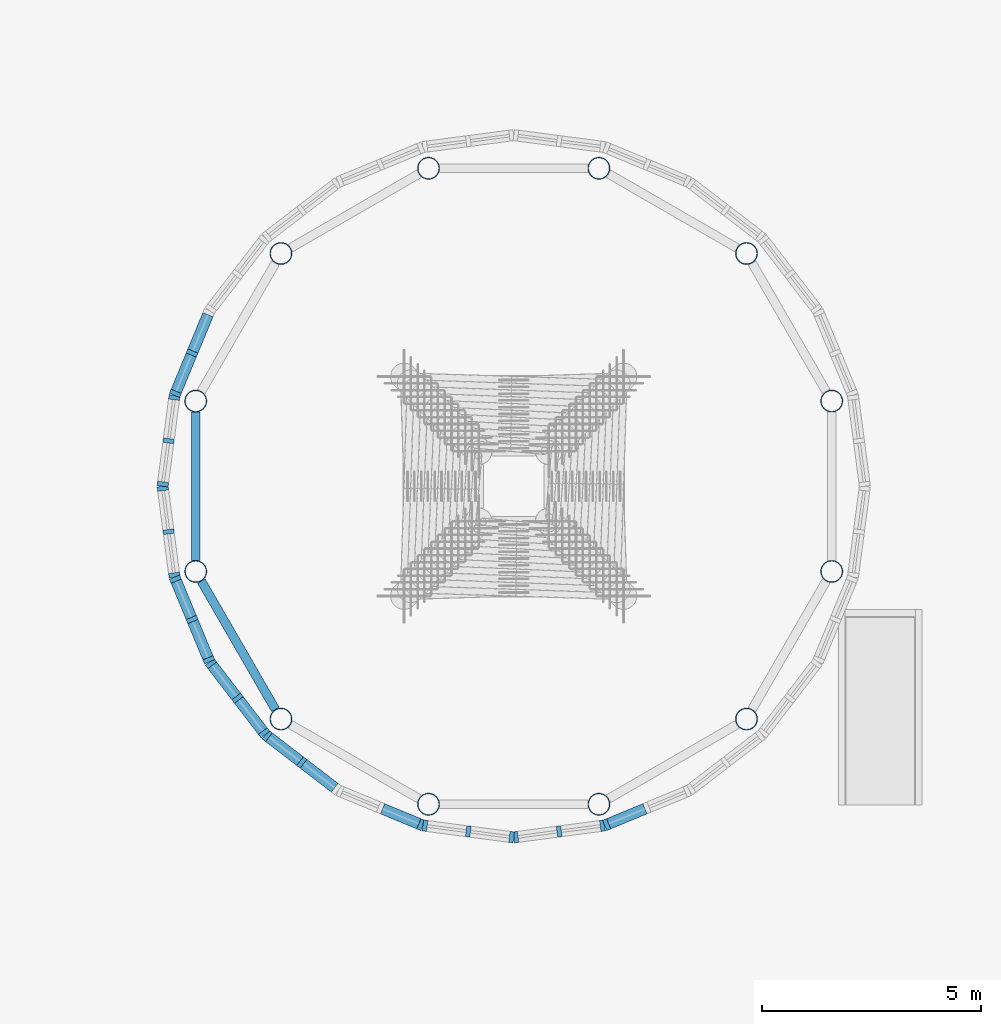
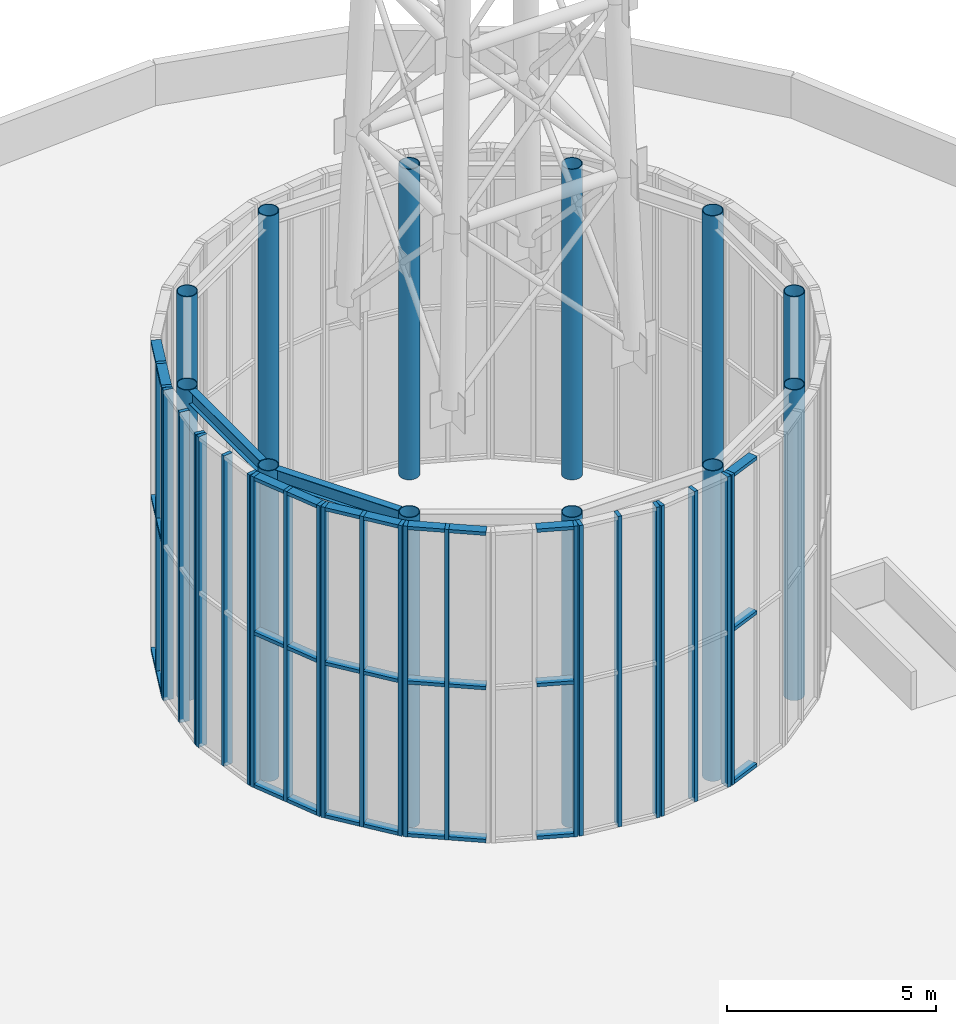
# One storey, part 1 of 11: 54 members, 12 columns, 2 beams, 10 elements without a shape of their own.
"""IFC4 building model written with IfcOpenShell, lengths in metres."""

import ifcopenshell
import ifcopenshell.guid

model = None  # the IFC model being written
_history = None  # IfcOwnerHistory: only IFC2X3 demands one
_inside = {}  # id of a spatial element -> (the spatial element, [elements in it])
_under = {}  # id of a project, library or spatial element -> (it, [spatial elements below it])
_declared = {}  # id of a project -> (the project, [libraries it declares])
_typed = {}  # id of a type object -> (the type object, [elements of that type])
_made_of = {}  # id of a material, layer set ... -> (it, [elements and type objects made of it])


def new_model(schema):
    """Start an empty IFC model of exactly this schema.

    Asked for "IFC4X3", IfcOpenShell would pick the latest addendum, in which some entities
    have other attributes; the version numbers below select the first issue.
    IFC2X3 requires an IfcOwnerHistory on every rooted entity: one is made here for all.
    """
    global model, _history
    if schema == "IFC4X3":
        model = ifcopenshell.file(schema_version=(4, 3, 0, 0))
    else:
        model = ifcopenshell.file(schema=schema)
    _inside.clear()
    _under.clear()
    _declared.clear()
    _typed.clear()
    _made_of.clear()
    _history = None
    if model.schema == "IFC2X3":
        org = make("IfcOrganization", Name="unknown")
        user = make(
            "IfcPersonAndOrganization",
            ThePerson=make("IfcPerson", FamilyName="unknown"),
            TheOrganization=org,
        )
        app = make(
            "IfcApplication",
            ApplicationDeveloper=org,
            Version="unknown",
            ApplicationFullName="unknown",
            ApplicationIdentifier="unknown",
        )
        _history = make(
            "IfcOwnerHistory",
            OwningUser=user,
            OwningApplication=app,
            ChangeAction="ADDED",
            CreationDate=0,
        )
    return model


def make(cls, **values):
    """One entity of the class cls with the attributes given. An attribute that is None is left unset."""
    return model.create_entity(
        cls, **{name: value for name, value in values.items() if value is not None}
    )


def rooted(cls, **values):
    """An entity with a GlobalId (a new one), such as an element, a storey or a relation."""
    return make(cls, GlobalId=ifcopenshell.guid.new(), OwnerHistory=_history, **values)


def si_unit(unit_type, name, prefix=None):
    """IfcSIUnit, for example si_unit("LENGTHUNIT", "METRE", prefix="MILLI")."""
    return make("IfcSIUnit", UnitType=unit_type, Prefix=prefix, Name=name)


def assignment(units):
    """IfcUnitAssignment: the units of a project."""
    return None if units is None else make("IfcUnitAssignment", Units=units)


def point(xyz):
    """IfcCartesianPoint."""
    return None if xyz is None else make("IfcCartesianPoint", Coordinates=xyz)


def direction(xyz):
    """IfcDirection."""
    return None if xyz is None else make("IfcDirection", DirectionRatios=xyz)


def frame(location, z_axis=None, x_axis=None):
    """IfcAxis2Placement3D, a coordinate frame: its origin and axes. An axis left out is left unset."""
    return make(
        "IfcAxis2Placement3D",
        Location=point(location),
        Axis=direction(z_axis),
        RefDirection=direction(x_axis),
    )


def frame_2d(location, x_axis=None):
    """IfcAxis2Placement2D, a coordinate frame in the plane: its origin and x axis."""
    return make(
        "IfcAxis2Placement2D", Location=point(location), RefDirection=direction(x_axis)
    )


def origin():
    """The frame at (0, 0, 0) with its axes left unset."""
    return frame((0.0, 0.0, 0.0))


def origin_2d():
    """The frame at (0, 0) in the plane with its x axis left unset."""
    return frame_2d((0.0, 0.0))


def place(relative_to, where):
    """IfcLocalPlacement: puts the frame where relative to a parent placement (None: the world)."""
    return make(
        "IfcLocalPlacement", PlacementRelTo=relative_to, RelativePlacement=where
    )


def context(
    kind, dimensions, precision=None, world=None, true_north=None, identifier=None
):
    """IfcGeometricRepresentationContext, for example the 3D "Model" context."""
    return make(
        "IfcGeometricRepresentationContext",
        ContextIdentifier=identifier,
        ContextType=kind,
        CoordinateSpaceDimension=dimensions,
        Precision=precision,
        WorldCoordinateSystem=world,
        TrueNorth=true_north,
    )


def subcontext(parent, identifier, kind, view, scale=None):
    """IfcGeometricRepresentationSubContext, for example "Body" below "Model"."""
    return make(
        "IfcGeometricRepresentationSubContext",
        ContextIdentifier=identifier,
        ContextType=kind,
        ParentContext=parent,
        TargetScale=scale,
        TargetView=view,
    )


def project(units=None, contexts=None):
    """IfcProject with its units and contexts."""
    return rooted(
        "IfcProject",
        Name="project",
        RepresentationContexts=contexts,
        UnitsInContext=assignment(units),
    )


def spatial(cls, under=None, at=None, **own):
    """A site, building, storey or space (cls), placed at a placement, below another one or the project."""
    s = rooted(cls, ObjectPlacement=at, **own)
    if under is not None:
        _under.setdefault(under.id(), (under, []))[1].append(s)
    return s


def profile(cls, at=None, kind="AREA", **sizes):
    """A parametric profile (cls). Its sizes go by their IFC names, for example OverallWidth=200.0."""
    return make(cls, ProfileType=kind, Position=at, **sizes)


def rectangle(**sizes):
    """IfcRectangleProfileDef."""
    return profile("IfcRectangleProfileDef", **sizes)


def hollow_circle(**sizes):
    """IfcCircleHollowProfileDef."""
    return profile("IfcCircleHollowProfileDef", **sizes)


def i_section(**sizes):
    """IfcIShapeProfileDef."""
    return profile("IfcIShapeProfileDef", **sizes)


def extrude(swept, where, along, depth):
    """IfcExtrudedAreaSolid: the profile swept, set in the frame where, extruded along a direction by depth."""
    return make(
        "IfcExtrudedAreaSolid",
        SweptArea=swept,
        Position=where,
        ExtrudedDirection=direction(along),
        Depth=depth,
    )


def shape(context_of_items, identifier, shape_type, items):
    """IfcShapeRepresentation: the items that make up one representation, for example the "Body"."""
    return make(
        "IfcShapeRepresentation",
        ContextOfItems=context_of_items,
        RepresentationIdentifier=identifier,
        RepresentationType=shape_type,
        Items=items,
    )


def material(Name=None, Category=None):
    """IfcMaterial."""
    return make("IfcMaterial", Name=Name, Category=Category)


def material_profile(
    of_material, cross_section, Name=None, Category=None, Priority=None
):
    """IfcMaterialProfile: a cross section and its material."""
    return make(
        "IfcMaterialProfile",
        Name=Name,
        Material=of_material,
        Profile=cross_section,
        Priority=Priority,
        Category=Category,
    )


def profile_set(profiles, Name=None, composite=None):
    """IfcMaterialProfileSet."""
    return make(
        "IfcMaterialProfileSet",
        Name=Name,
        MaterialProfiles=profiles,
        CompositeProfile=composite,
    )


def made_of(thing, what):
    """Note that an element or type object is made of a material, layer set ...; save() writes the relation."""
    if what is not None:
        _made_of.setdefault(what.id(), (what, []))[1].append(thing)
    return thing


def type_object(cls, material=None, **own):
    """A type object (cls), such as IfcWallType, which elements share."""
    return made_of(rooted(cls, **own), material)


def element(
    cls,
    number,
    at=None,
    inside=None,
    cuts=None,
    type_object=None,
    material=None,
    context=None,
    identifier="Body",
    shape_type=None,
    held_by="IfcProductDefinitionShape",
    body=None,
    shapes=None,
    **own,
):
    """One element of the class cls, such as IfcWall. Its Tag is "e" and its number.

    at: its placement. inside: the storey or other place that contains it. cuts: it is an
    opening in that element (IfcRelVoidsElement). A single representation is given by context,
    identifier, shape_type and body (its items); several are given by shapes. held_by: the class
    of the entity that holds the representations. save() writes the other relations.
    """
    e = rooted(cls, Tag="e%d" % number, ObjectPlacement=at, **own)
    if body is not None:
        shapes = [shape(context, identifier, shape_type, body)]
    if shapes is not None:
        e.Representation = make(held_by, Representations=shapes)
    if inside is not None:
        _inside.setdefault(inside.id(), (inside, []))[1].append(e)
    if cuts is not None:
        rooted(
            "IfcRelVoidsElement", RelatingBuildingElement=cuts, RelatedOpeningElement=e
        )
    if type_object is not None:
        _typed.setdefault(type_object.id(), (type_object, []))[1].append(e)
    return made_of(e, material)


def aggregate(whole, parts):
    """IfcRelAggregates: a whole, such as a stair, and the parts it consists of."""
    return rooted("IfcRelAggregates", RelatingObject=whole, RelatedObjects=parts)


def save(model, path):
    """Write the relations noted so far, then the file.

    IfcRelAggregates (storeys below a building ...), IfcRelContainedInSpatialStructure (elements
    in a storey), IfcRelDefinesByType, IfcRelAssociatesMaterial and IfcRelDeclares: one each for
    every whole, place, type object, material and project.
    """
    for whole, parts in _under.values():
        aggregate(whole, parts)
    for where, things in _inside.values():
        rooted(
            "IfcRelContainedInSpatialStructure",
            RelatedElements=things,
            RelatingStructure=where,
        )
    for kind, things in _typed.values():
        rooted("IfcRelDefinesByType", RelatedObjects=things, RelatingType=kind)
    for what, things in _made_of.values():
        rooted("IfcRelAssociatesMaterial", RelatedObjects=things, RelatingMaterial=what)
    for by, libraries in _declared.values():
        rooted("IfcRelDeclares", RelatingContext=by, RelatedDefinitions=libraries)
    model.write(path)


model = new_model("IFC4")

# Units and contexts
model_context = context("Model", 3, precision=1e-05, world=origin(), true_north=direction((0.0, 1.0)))
body_context = subcontext(model_context, "Body", "Model", "MODEL_VIEW")
ifc_project = project(units=[si_unit("LENGTHUNIT", "METRE"), si_unit("AREAUNIT", "SQUARE_METRE"), si_unit("VOLUMEUNIT", "CUBIC_METRE"), si_unit("PLANEANGLEUNIT", "RADIAN"), si_unit("MASSUNIT", "GRAM", prefix="KILO")], contexts=[model_context])

# Site, building, storey
site_placement = place(None, origin())
site = spatial("IfcSite", under=ifc_project, at=site_placement, CompositionType="ELEMENT")
building_placement = place(site_placement, origin())
building = spatial("IfcBuilding", under=site, at=building_placement, Name="Vermilion Reach Broadcast Tower", CompositionType="ELEMENT")
storey_placement = place(building_placement, frame((0.0, 0.0, 329.699951171875)))
storey = spatial("IfcBuildingStorey", under=building, at=storey_placement, Name="RF", CompositionType="ELEMENT", Elevation=329.699951171875)

# Columns
ifc_material_1 = material(Name="Steel S355J2H", Category="steel")
ifc_material_profile_1 = material_profile(ifc_material_1, hollow_circle(Radius=0.25390625, WallThickness=0.02001953125, at=origin_2d()), Name="S355J2H CHS 508x20")
ifc_profile_set_1 = profile_set([ifc_material_profile_1], Name="Steel S355J2H")
column_type = type_object("IfcColumnType", Name="DP CHS 508x20", PredefinedType="COLUMN", material=ifc_profile_set_1)
for number, where, z_axis, x_axis, name in (
    (1, (1.244384765625, 1.941162109375, 0.0), (0.0, 0.0, 1.0), (1.0, 0.0, 0.0), "Plant drum post DP01"),
    (2, (-0.69677734375, 5.30322265625, 0.0), (0.0, 0.0, 1.0), (1.0, 0.0, 0.0), "Plant drum post DP02"),
    (3, (-4.058837890625, 7.244384765625, 0.0), (0.0, 0.0, 1.0), (1.0, 0.0, 0.0), "Plant drum post DP03"),
    (4, (-7.941162109375, 7.244384765625, 0.0), (0.0, 0.0, 1.0), (1.0, 0.0, 0.0), "Plant drum post DP04"),
    (5, (-11.30322265625, 5.30322265625, 0.0), (0.0, 0.0, 1.0), (1.0, 0.0, 0.0), "Plant drum post DP05"),
    (6, (-13.244384765625, 1.941162109375, 0.0), (0.0, 0.0, 1.0), (1.0, 0.0, 0.0), "Plant drum post DP06"),
    (7, (-13.244384765625, -1.941162109375, 0.0), (0.0, 0.0, 1.0), (1.0, 0.0, 0.0), "Plant drum post DP07"),
    (8, (-11.30322265625, -5.30322265625, 0.0), (0.0, 0.0, 1.0), (1.0, 0.0, 0.0), "Plant drum post DP08"),
    (9, (-7.941162109375, -7.244384765625, 0.0), (0.0, 0.0, 1.0), (1.0, 0.0, 0.0), "Plant drum post DP09"),
    (10, (-4.058837890625, -7.244384765625, 0.0), (0.0, 0.0, 1.0), (1.0, 0.0, 0.0), "Plant drum post DP10"),
    (11, (-0.69677734375, -5.30322265625, 0.0), (0.0, 0.0, 1.0), (1.0, 0.0, 0.0), "Plant drum post DP11"),
    (12, (1.244384765625, -1.941162109375, 0.0), (0.0, 0.0, 1.0), (1.0, 0.0, 0.0), "Plant drum post DP12"),
):
    element("IfcColumn", number, at=place(storey_placement, frame(where, z_axis=z_axis, x_axis=x_axis)), inside=storey, type_object=column_type, Name=name, PredefinedType="COLUMN", context=body_context, shape_type="SweptSolid", body=[
        extrude(hollow_circle(Radius=0.25390625, WallThickness=0.02001953125, at=origin_2d()), origin(), (0.0, 0.0, 1.0), 9.050048828125),
    ])

# Beams
ifc_material_2 = material(Name="Steel S355J2", Category="steel")
ifc_material_profile_2 = material_profile(ifc_material_2, i_section(OverallWidth=0.199951171875, OverallDepth=0.39990234375, WebThickness=0.008056640625, FlangeThickness=0.012939453125, at=origin_2d()), Name="S355J2 HN 400x200x8x13")
ifc_profile_set_2 = profile_set([ifc_material_profile_2], Name="Steel S355J2")
beam_type = type_object("IfcBeamType", Name="DB1 HN 400x200x8x13", PredefinedType="BEAM", material=ifc_profile_set_2)
beam_1_placement = place(storey_placement, frame((-13.244384765625, 1.687255859375, 8.85009765625), z_axis=(0.0, -1.0, 0.0), x_axis=(1.0, 0.0, 0.0)))
element("IfcBeam", 13, at=beam_1_placement, inside=storey, type_object=beam_type, Name="Plant drum ring beam DB1-06", PredefinedType="BEAM", context=body_context, shape_type="SweptSolid", body=[
    extrude(i_section(OverallWidth=0.199951171875, OverallDepth=0.39990234375, WebThickness=0.008056640625, FlangeThickness=0.012939453125, at=origin_2d()), origin(), (0.0, 0.0, 1.0), 3.37451171875),
])
beam_2_placement = place(storey_placement, frame((-13.117431640625, -2.1611328125, 8.85009765625), z_axis=(0.499983428175, -0.866034971321, 0.0), x_axis=(0.866034971321, 0.499983428175, 0.0)))
element("IfcBeam", 14, at=beam_2_placement, inside=storey, type_object=beam_type, Name="Plant drum ring beam DB1-07", PredefinedType="BEAM", context=body_context, shape_type="SweptSolid", body=[
    extrude(i_section(OverallWidth=0.199951171875, OverallDepth=0.39990234375, WebThickness=0.008056640625, FlangeThickness=0.012939453125, at=origin_2d()), origin(), (0.0, 0.0, 1.0), 3.3740234375),
])

# Curtain wall, members
ifc_material_3 = material(Name="Low-e laminated clear glass in aluminium frame", Category="aluminium")
curtain_wall_type = type_object("IfcCurtainWallType", Name="Drum louvre curtain wall", PredefinedType="NOTDEFINED", material=ifc_material_3)
placement = place(storey_placement, origin())
curtain_wall_1 = element("IfcCurtainWall", 15, at=placement, inside=storey, type_object=curtain_wall_type, Name="Drum louvre wall RF 11", PredefinedType="NOTDEFINED")
ifc_material_4 = material(Name="Anodised aluminium", Category="aluminium")
ifc_material_profile_3 = material_profile(ifc_material_4, rectangle(XDim=0.25, YDim=0.10009765625, at=origin_2d()), Name="Drum louvre mullion 100 x 250")
ifc_profile_set_3 = profile_set([ifc_material_profile_3], Name="Anodised aluminium")
member_type_1 = type_object("IfcMemberType", Name="Drum louvre mullion 100 x 250", PredefinedType="MULLION", material=ifc_profile_set_3)
member_1_placement = place(storey_placement, frame((-13.327880859375, 3.03515625, 0.0), z_axis=(0.0, 0.0, 1.0), x_axis=(0.923879532511, -0.382683432365, 0.0)))
member_1 = element("IfcMember", 16, at=member_1_placement, type_object=member_type_1, Name="Drum louvre wall mullion RF 11.2", PredefinedType="MULLION", context=body_context, shape_type="SweptSolid", body=[
    extrude(rectangle(XDim=0.25, YDim=0.10009765625, at=origin_2d()), origin(), (0.0, 0.0, 1.0), 9.050048828125),
])
member_2_placement = place(storey_placement, frame((-13.708251953125, 2.11669921875, 0.0), z_axis=(0.0, 0.0, 1.0), x_axis=(0.923879532511, -0.382683432365, 0.0)))
member_2 = element("IfcMember", 17, at=member_2_placement, type_object=member_type_1, Name="Drum louvre wall mullion RF 11.3", PredefinedType="MULLION", context=body_context, shape_type="SweptSolid", body=[
    extrude(rectangle(XDim=0.25, YDim=0.10009765625, at=origin_2d()), origin(), (0.0, 0.0, 1.0), 9.050048828125),
])

curtain_wall_2 = element("IfcCurtainWall", 18, at=placement, inside=storey, type_object=curtain_wall_type, Name="Drum louvre wall RF 12", PredefinedType="NOTDEFINED")
member_3_placement = place(storey_placement, frame((-13.73388671875, 2.02099609375, 0.0), z_axis=(0.0, 0.0, 1.0), x_axis=(0.991444861374, -0.13052619222, 0.0)))
member_3 = element("IfcMember", 19, at=member_3_placement, type_object=member_type_1, Name="Drum louvre wall mullion RF 12.1", PredefinedType="MULLION", context=body_context, shape_type="SweptSolid", body=[
    extrude(rectangle(XDim=0.25, YDim=0.10009765625, at=origin_2d()), origin(), (0.0, 0.0, 1.0), 9.050048828125),
])
member_4_placement = place(storey_placement, frame((-13.86376953125, 1.03515625, 0.0), z_axis=(0.0, 0.0, 1.0), x_axis=(0.991444861374, -0.13052619222, 0.0)))
member_4 = element("IfcMember", 20, at=member_4_placement, type_object=member_type_1, Name="Drum louvre wall mullion RF 12.2", PredefinedType="MULLION", context=body_context, shape_type="SweptSolid", body=[
    extrude(rectangle(XDim=0.25, YDim=0.10009765625, at=origin_2d()), origin(), (0.0, 0.0, 1.0), 9.050048828125),
])
member_5_placement = place(storey_placement, frame((-13.993408203125, 0.049560546875, 0.0), z_axis=(0.0, 0.0, 1.0), x_axis=(0.991444861374, -0.13052619222, 0.0)))
member_5 = element("IfcMember", 21, at=member_5_placement, type_object=member_type_1, Name="Drum louvre wall mullion RF 12.3", PredefinedType="MULLION", context=body_context, shape_type="SweptSolid", body=[
    extrude(rectangle(XDim=0.25, YDim=0.10009765625, at=origin_2d()), origin(), (0.0, 0.0, 1.0), 9.050048828125),
])
aggregate(curtain_wall_2, [member_3, member_4, member_5])

curtain_wall_3 = element("IfcCurtainWall", 22, at=placement, inside=storey, type_object=curtain_wall_type, Name="Drum louvre wall RF 13", PredefinedType="NOTDEFINED")
member_6_placement = place(storey_placement, frame((-13.993408203125, -0.049560546875, 0.0), z_axis=(0.0, 0.0, 1.0), x_axis=(0.991444861374, 0.13052619222, 0.0)))
member_6 = element("IfcMember", 23, at=member_6_placement, type_object=member_type_1, Name="Drum louvre wall mullion RF 13.1", PredefinedType="MULLION", context=body_context, shape_type="SweptSolid", body=[
    extrude(rectangle(XDim=0.25, YDim=0.10009765625, at=origin_2d()), origin(), (0.0, 0.0, 1.0), 9.050048828125),
])
member_7_placement = place(storey_placement, frame((-13.86376953125, -1.03515625, 0.0), z_axis=(0.0, 0.0, 1.0), x_axis=(0.991444861374, 0.13052619222, 0.0)))
member_7 = element("IfcMember", 24, at=member_7_placement, type_object=member_type_1, Name="Drum louvre wall mullion RF 13.2", PredefinedType="MULLION", context=body_context, shape_type="SweptSolid", body=[
    extrude(rectangle(XDim=0.25, YDim=0.10009765625, at=origin_2d()), origin(), (0.0, 0.0, 1.0), 9.050048828125),
])
member_8_placement = place(storey_placement, frame((-13.73388671875, -2.02099609375, 0.0), z_axis=(0.0, 0.0, 1.0), x_axis=(0.991444861374, 0.13052619222, 0.0)))
member_8 = element("IfcMember", 25, at=member_8_placement, type_object=member_type_1, Name="Drum louvre wall mullion RF 13.3", PredefinedType="MULLION", context=body_context, shape_type="SweptSolid", body=[
    extrude(rectangle(XDim=0.25, YDim=0.10009765625, at=origin_2d()), origin(), (0.0, 0.0, 1.0), 9.050048828125),
])
aggregate(curtain_wall_3, [member_6, member_7, member_8])

curtain_wall_4 = element("IfcCurtainWall", 26, at=placement, inside=storey, type_object=curtain_wall_type, Name="Drum louvre wall RF 14", PredefinedType="NOTDEFINED")
member_9_placement = place(storey_placement, frame((-13.708251953125, -2.11669921875, 0.0), z_axis=(0.0, 0.0, 1.0), x_axis=(0.923879532511, 0.382683432365, 0.0)))
member_9 = element("IfcMember", 27, at=member_9_placement, type_object=member_type_1, Name="Drum louvre wall mullion RF 14.1", PredefinedType="MULLION", context=body_context, shape_type="SweptSolid", body=[
    extrude(rectangle(XDim=0.25, YDim=0.10009765625, at=origin_2d()), origin(), (0.0, 0.0, 1.0), 9.050048828125),
])
member_10_placement = place(storey_placement, frame((-13.327880859375, -3.03515625, 0.0), z_axis=(0.0, 0.0, 1.0), x_axis=(0.923879532511, 0.382683432365, 0.0)))
member_10 = element("IfcMember", 28, at=member_10_placement, type_object=member_type_1, Name="Drum louvre wall mullion RF 14.2", PredefinedType="MULLION", context=body_context, shape_type="SweptSolid", body=[
    extrude(rectangle(XDim=0.25, YDim=0.10009765625, at=origin_2d()), origin(), (0.0, 0.0, 1.0), 9.050048828125),
])
member_11_placement = place(storey_placement, frame((-12.947265625, -3.953857421875, 0.0), z_axis=(0.0, 0.0, 1.0), x_axis=(0.923879532511, 0.382683432365, 0.0)))
member_11 = element("IfcMember", 29, at=member_11_placement, type_object=member_type_1, Name="Drum louvre wall mullion RF 14.3", PredefinedType="MULLION", context=body_context, shape_type="SweptSolid", body=[
    extrude(rectangle(XDim=0.25, YDim=0.10009765625, at=origin_2d()), origin(), (0.0, 0.0, 1.0), 9.050048828125),
])

curtain_wall_5 = element("IfcCurtainWall", 30, at=placement, inside=storey, type_object=curtain_wall_type, Name="Drum louvre wall RF 15", PredefinedType="NOTDEFINED")
member_12_placement = place(storey_placement, frame((-12.897705078125, -4.03955078125, 0.0), z_axis=(0.0, 0.0, 1.0), x_axis=(0.793353340291, 0.608761429009, 0.0)))
member_12 = element("IfcMember", 31, at=member_12_placement, type_object=member_type_1, Name="Drum louvre wall mullion RF 15.1", PredefinedType="MULLION", context=body_context, shape_type="SweptSolid", body=[
    extrude(rectangle(XDim=0.25, YDim=0.10009765625, at=origin_2d()), origin(), (0.0, 0.0, 1.0), 9.050048828125),
])
member_13_placement = place(storey_placement, frame((-12.29248046875, -4.828369140625, 0.0), z_axis=(0.0, 0.0, 1.0), x_axis=(0.793353340291, 0.608761429009, 0.0)))
member_13 = element("IfcMember", 32, at=member_13_placement, type_object=member_type_1, Name="Drum louvre wall mullion RF 15.2", PredefinedType="MULLION", context=body_context, shape_type="SweptSolid", body=[
    extrude(rectangle(XDim=0.25, YDim=0.10009765625, at=origin_2d()), origin(), (0.0, 0.0, 1.0), 9.050048828125),
])
member_14_placement = place(storey_placement, frame((-11.687255859375, -5.6171875, 0.0), z_axis=(0.0, 0.0, 1.0), x_axis=(0.793353340291, 0.608761429009, 0.0)))
member_14 = element("IfcMember", 33, at=member_14_placement, type_object=member_type_1, Name="Drum louvre wall mullion RF 15.3", PredefinedType="MULLION", context=body_context, shape_type="SweptSolid", body=[
    extrude(rectangle(XDim=0.25, YDim=0.10009765625, at=origin_2d()), origin(), (0.0, 0.0, 1.0), 9.050048828125),
])

curtain_wall_6 = element("IfcCurtainWall", 34, at=placement, inside=storey, type_object=curtain_wall_type, Name="Drum louvre wall RF 16", PredefinedType="NOTDEFINED")
member_15_placement = place(storey_placement, frame((-11.6171875, -5.687255859375, 0.0), z_axis=(0.0, 0.0, 1.0), x_axis=(0.608761429009, 0.793353340291, 0.0)))
member_15 = element("IfcMember", 35, at=member_15_placement, type_object=member_type_1, Name="Drum louvre wall mullion RF 16.1", PredefinedType="MULLION", context=body_context, shape_type="SweptSolid", body=[
    extrude(rectangle(XDim=0.25, YDim=0.10009765625, at=origin_2d()), origin(), (0.0, 0.0, 1.0), 9.050048828125),
])
member_16_placement = place(storey_placement, frame((-10.828369140625, -6.29248046875, 0.0), z_axis=(0.0, 0.0, 1.0), x_axis=(0.608761429009, 0.793353340291, 0.0)))
member_16 = element("IfcMember", 36, at=member_16_placement, type_object=member_type_1, Name="Drum louvre wall mullion RF 16.2", PredefinedType="MULLION", context=body_context, shape_type="SweptSolid", body=[
    extrude(rectangle(XDim=0.25, YDim=0.10009765625, at=origin_2d()), origin(), (0.0, 0.0, 1.0), 9.050048828125),
])

# Curtain wall, member
curtain_wall_7 = element("IfcCurtainWall", 37, at=placement, inside=storey, type_object=curtain_wall_type, Name="Drum louvre wall RF 17", PredefinedType="NOTDEFINED")
member_17_placement = place(storey_placement, frame((-8.11669921875, -7.708251953125, 0.0), z_axis=(0.0, 0.0, 1.0), x_axis=(0.382683432365, 0.923879532511, 0.0)))
member_17 = element("IfcMember", 38, at=member_17_placement, type_object=member_type_1, Name="Drum louvre wall mullion RF 17.3", PredefinedType="MULLION", context=body_context, shape_type="SweptSolid", body=[
    extrude(rectangle(XDim=0.25, YDim=0.10009765625, at=origin_2d()), origin(), (0.0, 0.0, 1.0), 9.050048828125),
])

# Curtain wall, members
curtain_wall_8 = element("IfcCurtainWall", 39, at=placement, inside=storey, type_object=curtain_wall_type, Name="Drum louvre wall RF 18", PredefinedType="NOTDEFINED")
member_18_placement = place(storey_placement, frame((-8.02099609375, -7.73388671875, 0.0), z_axis=(0.0, 0.0, 1.0), x_axis=(0.13052619222, 0.991444861374, 0.0)))
member_18 = element("IfcMember", 40, at=member_18_placement, type_object=member_type_1, Name="Drum louvre wall mullion RF 18.1", PredefinedType="MULLION", context=body_context, shape_type="SweptSolid", body=[
    extrude(rectangle(XDim=0.25, YDim=0.10009765625, at=origin_2d()), origin(), (0.0, 0.0, 1.0), 9.050048828125),
])
member_19_placement = place(storey_placement, frame((-7.03515625, -7.86376953125, 0.0), z_axis=(0.0, 0.0, 1.0), x_axis=(0.13052619222, 0.991444861374, 0.0)))
member_19 = element("IfcMember", 41, at=member_19_placement, type_object=member_type_1, Name="Drum louvre wall mullion RF 18.2", PredefinedType="MULLION", context=body_context, shape_type="SweptSolid", body=[
    extrude(rectangle(XDim=0.25, YDim=0.10009765625, at=origin_2d()), origin(), (0.0, 0.0, 1.0), 9.050048828125),
])
member_20_placement = place(storey_placement, frame((-6.049560546875, -7.993408203125, 0.0), z_axis=(0.0, 0.0, 1.0), x_axis=(0.13052619222, 0.991444861374, 0.0)))
member_20 = element("IfcMember", 42, at=member_20_placement, type_object=member_type_1, Name="Drum louvre wall mullion RF 18.3", PredefinedType="MULLION", context=body_context, shape_type="SweptSolid", body=[
    extrude(rectangle(XDim=0.25, YDim=0.10009765625, at=origin_2d()), origin(), (0.0, 0.0, 1.0), 9.050048828125),
])
aggregate(curtain_wall_8, [member_18, member_19, member_20])

curtain_wall_9 = element("IfcCurtainWall", 43, at=placement, inside=storey, type_object=curtain_wall_type, Name="Drum louvre wall RF 19", PredefinedType="NOTDEFINED")
member_21_placement = place(storey_placement, frame((-5.950439453125, -7.993408203125, 0.0), z_axis=(0.0, 0.0, 1.0), x_axis=(-0.13052619222, 0.991444861374, 0.0)))
member_21 = element("IfcMember", 44, at=member_21_placement, type_object=member_type_1, Name="Drum louvre wall mullion RF 19.1", PredefinedType="MULLION", context=body_context, shape_type="SweptSolid", body=[
    extrude(rectangle(XDim=0.25, YDim=0.10009765625, at=origin_2d()), origin(), (0.0, 0.0, 1.0), 9.050048828125),
])
member_22_placement = place(storey_placement, frame((-4.96484375, -7.86376953125, 0.0), z_axis=(0.0, 0.0, 1.0), x_axis=(-0.13052619222, 0.991444861374, 0.0)))
member_22 = element("IfcMember", 45, at=member_22_placement, type_object=member_type_1, Name="Drum louvre wall mullion RF 19.2", PredefinedType="MULLION", context=body_context, shape_type="SweptSolid", body=[
    extrude(rectangle(XDim=0.25, YDim=0.10009765625, at=origin_2d()), origin(), (0.0, 0.0, 1.0), 9.050048828125),
])
member_23_placement = place(storey_placement, frame((-3.97900390625, -7.73388671875, 0.0), z_axis=(0.0, 0.0, 1.0), x_axis=(-0.13052619222, 0.991444861374, 0.0)))
member_23 = element("IfcMember", 46, at=member_23_placement, type_object=member_type_1, Name="Drum louvre wall mullion RF 19.3", PredefinedType="MULLION", context=body_context, shape_type="SweptSolid", body=[
    extrude(rectangle(XDim=0.25, YDim=0.10009765625, at=origin_2d()), origin(), (0.0, 0.0, 1.0), 9.050048828125),
])
aggregate(curtain_wall_9, [member_21, member_22, member_23])

# Curtain wall, member
curtain_wall_10 = element("IfcCurtainWall", 47, at=placement, inside=storey, type_object=curtain_wall_type, Name="Drum louvre wall RF 20", PredefinedType="NOTDEFINED")
member_24_placement = place(storey_placement, frame((-3.88330078125, -7.708251953125, 0.0), z_axis=(0.0, 0.0, 1.0), x_axis=(-0.382683432365, 0.923879532511, 0.0)))
member_24 = element("IfcMember", 48, at=member_24_placement, type_object=member_type_1, Name="Drum louvre wall mullion RF 20.1", PredefinedType="MULLION", context=body_context, shape_type="SweptSolid", body=[
    extrude(rectangle(XDim=0.25, YDim=0.10009765625, at=origin_2d()), origin(), (0.0, 0.0, 1.0), 9.050048828125),
])

# Member
ifc_material_5 = material(Name="Anodised aluminium", Category="aluminium")
ifc_material_profile_4 = material_profile(ifc_material_5, rectangle(XDim=0.25, YDim=0.10009765625, at=origin_2d()), Name="Drum louvre transom 250 x 100")
ifc_profile_set_4 = profile_set([ifc_material_profile_4], Name="Anodised aluminium")
member_type_2 = type_object("IfcMemberType", Name="Drum louvre transom 250 x 100", PredefinedType="USERDEFINED", material=ifc_profile_set_4)
member_25_placement = place(storey_placement, frame((-12.966552734375, 3.90771484375, 0.050048828125), z_axis=(-0.382520596183, -0.923946964655, 0.0), x_axis=(0.923946964655, -0.382520596183, 0.0)))
member_25 = element("IfcMember", 49, at=member_25_placement, type_object=member_type_2, Name="Drum louvre wall transom RF 11.1.1", ObjectType="TRANSOM", PredefinedType="USERDEFINED", context=body_context, shape_type="SweptSolid", body=[
    extrude(rectangle(XDim=0.25, YDim=0.10009765625, at=origin_2d()), origin(), (0.0, 0.0, 1.0), 0.894287109375),
])

member_26_placement = place(storey_placement, frame((-12.966552734375, 3.90771484375, 4.5), z_axis=(-0.382520596183, -0.923946964655, 0.0), x_axis=(0.923946964655, -0.382520596183, 0.0)))
member_26 = element("IfcMember", 50, at=member_26_placement, type_object=member_type_2, Name="Drum louvre wall transom RF 11.1.2", ObjectType="TRANSOM", PredefinedType="USERDEFINED", context=body_context, shape_type="SweptSolid", body=[
    extrude(rectangle(XDim=0.25, YDim=0.10009765625, at=origin_2d()), origin(), (0.0, 0.0, 1.0), 0.894287109375),
])

member_27_placement = place(storey_placement, frame((-12.966552734375, 3.90771484375, 9.0), z_axis=(-0.382520596183, -0.923946964655, 0.0), x_axis=(0.923946964655, -0.382520596183, 0.0)))
member_27 = element("IfcMember", 51, at=member_27_placement, type_object=member_type_2, Name="Drum louvre wall transom RF 11.1.3", ObjectType="TRANSOM", PredefinedType="USERDEFINED", context=body_context, shape_type="SweptSolid", body=[
    extrude(rectangle(XDim=0.25, YDim=0.10009765625, at=origin_2d()), origin(), (0.0, 0.0, 1.0), 0.894287109375),
])

member_28_placement = place(storey_placement, frame((-13.346923828125, 2.989013671875, 0.050048828125), z_axis=(-0.382753642759, -0.923850447288, 0.0), x_axis=(0.923850447288, -0.382753642759, 0.0)))
member_28 = element("IfcMember", 52, at=member_28_placement, type_object=member_type_2, Name="Drum louvre wall transom RF 11.2.1", ObjectType="TRANSOM", PredefinedType="USERDEFINED", context=body_context, shape_type="SweptSolid", body=[
    extrude(rectangle(XDim=0.25, YDim=0.10009765625, at=origin_2d()), origin(), (0.0, 0.0, 1.0), 0.894287109375),
])

member_29_placement = place(storey_placement, frame((-13.346923828125, 2.989013671875, 4.5), z_axis=(-0.382753642759, -0.923850447288, 0.0), x_axis=(0.923850447288, -0.382753642759, 0.0)))
member_29 = element("IfcMember", 53, at=member_29_placement, type_object=member_type_2, Name="Drum louvre wall transom RF 11.2.2", ObjectType="TRANSOM", PredefinedType="USERDEFINED", context=body_context, shape_type="SweptSolid", body=[
    extrude(rectangle(XDim=0.25, YDim=0.10009765625, at=origin_2d()), origin(), (0.0, 0.0, 1.0), 0.894287109375),
])

member_30_placement = place(storey_placement, frame((-13.346923828125, 2.989013671875, 9.0), z_axis=(-0.382753642759, -0.923850447288, 0.0), x_axis=(0.923850447288, -0.382753642759, 0.0)))
member_30 = element("IfcMember", 54, at=member_30_placement, type_object=member_type_2, Name="Drum louvre wall transom RF 11.2.3", ObjectType="TRANSOM", PredefinedType="USERDEFINED", context=body_context, shape_type="SweptSolid", body=[
    extrude(rectangle(XDim=0.25, YDim=0.10009765625, at=origin_2d()), origin(), (0.0, 0.0, 1.0), 0.894287109375),
])

aggregate(curtain_wall_1, [member_1, member_2, member_25, member_26, member_27, member_28, member_29, member_30])

member_31_placement = place(storey_placement, frame((-13.689208984375, -2.162841796875, 0.050048828125), z_axis=(0.382753642759, -0.923850447288, 0.0), x_axis=(0.923850447288, 0.382753642759, 0.0)))
member_31 = element("IfcMember", 55, at=member_31_placement, type_object=member_type_2, Name="Drum louvre wall transom RF 14.1.1", ObjectType="TRANSOM", PredefinedType="USERDEFINED", context=body_context, shape_type="SweptSolid", body=[
    extrude(rectangle(XDim=0.25, YDim=0.10009765625, at=origin_2d()), origin(), (0.0, 0.0, 1.0), 0.894287109375),
])

member_32_placement = place(storey_placement, frame((-13.689208984375, -2.162841796875, 4.5), z_axis=(0.382753642759, -0.923850447288, 0.0), x_axis=(0.923850447288, 0.382753642759, 0.0)))
member_32 = element("IfcMember", 56, at=member_32_placement, type_object=member_type_2, Name="Drum louvre wall transom RF 14.1.2", ObjectType="TRANSOM", PredefinedType="USERDEFINED", context=body_context, shape_type="SweptSolid", body=[
    extrude(rectangle(XDim=0.25, YDim=0.10009765625, at=origin_2d()), origin(), (0.0, 0.0, 1.0), 0.894287109375),
])

member_33_placement = place(storey_placement, frame((-13.689208984375, -2.162841796875, 9.0), z_axis=(0.382753642759, -0.923850447288, 0.0), x_axis=(0.923850447288, 0.382753642759, 0.0)))
member_33 = element("IfcMember", 57, at=member_33_placement, type_object=member_type_2, Name="Drum louvre wall transom RF 14.1.3", ObjectType="TRANSOM", PredefinedType="USERDEFINED", context=body_context, shape_type="SweptSolid", body=[
    extrude(rectangle(XDim=0.25, YDim=0.10009765625, at=origin_2d()), origin(), (0.0, 0.0, 1.0), 0.894287109375),
])

member_34_placement = place(storey_placement, frame((-13.30859375, -3.08154296875, 0.050048828125), z_axis=(0.382520596183, -0.923946964655, 0.0), x_axis=(0.923946964655, 0.382520596183, 0.0)))
member_34 = element("IfcMember", 58, at=member_34_placement, type_object=member_type_2, Name="Drum louvre wall transom RF 14.2.1", ObjectType="TRANSOM", PredefinedType="USERDEFINED", context=body_context, shape_type="SweptSolid", body=[
    extrude(rectangle(XDim=0.25, YDim=0.10009765625, at=origin_2d()), origin(), (0.0, 0.0, 1.0), 0.894287109375),
])

member_35_placement = place(storey_placement, frame((-13.30859375, -3.08154296875, 4.5), z_axis=(0.382520596183, -0.923946964655, 0.0), x_axis=(0.923946964655, 0.382520596183, 0.0)))
member_35 = element("IfcMember", 59, at=member_35_placement, type_object=member_type_2, Name="Drum louvre wall transom RF 14.2.2", ObjectType="TRANSOM", PredefinedType="USERDEFINED", context=body_context, shape_type="SweptSolid", body=[
    extrude(rectangle(XDim=0.25, YDim=0.10009765625, at=origin_2d()), origin(), (0.0, 0.0, 1.0), 0.894287109375),
])

member_36_placement = place(storey_placement, frame((-13.30859375, -3.08154296875, 9.0), z_axis=(0.382520596183, -0.923946964655, 0.0), x_axis=(0.923946964655, 0.382520596183, 0.0)))
member_36 = element("IfcMember", 60, at=member_36_placement, type_object=member_type_2, Name="Drum louvre wall transom RF 14.2.3", ObjectType="TRANSOM", PredefinedType="USERDEFINED", context=body_context, shape_type="SweptSolid", body=[
    extrude(rectangle(XDim=0.25, YDim=0.10009765625, at=origin_2d()), origin(), (0.0, 0.0, 1.0), 0.894287109375),
])

aggregate(curtain_wall_4, [member_9, member_10, member_11, member_31, member_32, member_33, member_34, member_35, member_36])

member_37_placement = place(storey_placement, frame((-12.867431640625, -4.079345703125, 0.050048828125), z_axis=(0.60878682021, -0.793333856292, 0.0), x_axis=(0.793333856292, 0.60878682021, 0.0)))
member_37 = element("IfcMember", 61, at=member_37_placement, type_object=member_type_2, Name="Drum louvre wall transom RF 15.1.1", ObjectType="TRANSOM", PredefinedType="USERDEFINED", context=body_context, shape_type="SweptSolid", body=[
    extrude(rectangle(XDim=0.25, YDim=0.10009765625, at=origin_2d()), origin(), (0.0, 0.0, 1.0), 0.894287109375),
])

member_38_placement = place(storey_placement, frame((-12.867431640625, -4.079345703125, 4.5), z_axis=(0.60878682021, -0.793333856292, 0.0), x_axis=(0.793333856292, 0.60878682021, 0.0)))
member_38 = element("IfcMember", 62, at=member_38_placement, type_object=member_type_2, Name="Drum louvre wall transom RF 15.1.2", ObjectType="TRANSOM", PredefinedType="USERDEFINED", context=body_context, shape_type="SweptSolid", body=[
    extrude(rectangle(XDim=0.25, YDim=0.10009765625, at=origin_2d()), origin(), (0.0, 0.0, 1.0), 0.894287109375),
])

member_39_placement = place(storey_placement, frame((-12.867431640625, -4.079345703125, 9.0), z_axis=(0.60878682021, -0.793333856292, 0.0), x_axis=(0.793333856292, 0.60878682021, 0.0)))
member_39 = element("IfcMember", 63, at=member_39_placement, type_object=member_type_2, Name="Drum louvre wall transom RF 15.1.3", ObjectType="TRANSOM", PredefinedType="USERDEFINED", context=body_context, shape_type="SweptSolid", body=[
    extrude(rectangle(XDim=0.25, YDim=0.10009765625, at=origin_2d()), origin(), (0.0, 0.0, 1.0), 0.894287109375),
])

member_40_placement = place(storey_placement, frame((-12.26220703125, -4.8681640625, 0.050048828125), z_axis=(0.60878682021, -0.793333856292, 0.0), x_axis=(0.793333856292, 0.60878682021, 0.0)))
member_40 = element("IfcMember", 64, at=member_40_placement, type_object=member_type_2, Name="Drum louvre wall transom RF 15.2.1", ObjectType="TRANSOM", PredefinedType="USERDEFINED", context=body_context, shape_type="SweptSolid", body=[
    extrude(rectangle(XDim=0.25, YDim=0.10009765625, at=origin_2d()), origin(), (0.0, 0.0, 1.0), 0.894287109375),
])

member_41_placement = place(storey_placement, frame((-12.26220703125, -4.8681640625, 4.5), z_axis=(0.60878682021, -0.793333856292, 0.0), x_axis=(0.793333856292, 0.60878682021, 0.0)))
member_41 = element("IfcMember", 65, at=member_41_placement, type_object=member_type_2, Name="Drum louvre wall transom RF 15.2.2", ObjectType="TRANSOM", PredefinedType="USERDEFINED", context=body_context, shape_type="SweptSolid", body=[
    extrude(rectangle(XDim=0.25, YDim=0.10009765625, at=origin_2d()), origin(), (0.0, 0.0, 1.0), 0.894287109375),
])

member_42_placement = place(storey_placement, frame((-12.26220703125, -4.8681640625, 9.0), z_axis=(0.60878682021, -0.793333856292, 0.0), x_axis=(0.793333856292, 0.60878682021, 0.0)))
member_42 = element("IfcMember", 66, at=member_42_placement, type_object=member_type_2, Name="Drum louvre wall transom RF 15.2.3", ObjectType="TRANSOM", PredefinedType="USERDEFINED", context=body_context, shape_type="SweptSolid", body=[
    extrude(rectangle(XDim=0.25, YDim=0.10009765625, at=origin_2d()), origin(), (0.0, 0.0, 1.0), 0.894287109375),
])

aggregate(curtain_wall_5, [member_12, member_13, member_14, member_37, member_38, member_39, member_40, member_41, member_42])

member_43_placement = place(storey_placement, frame((-11.57763671875, -5.7177734375, 0.050048828125), z_axis=(0.793333856292, -0.60878682021, 0.0), x_axis=(0.60878682021, 0.793333856292, 0.0)))
member_43 = element("IfcMember", 67, at=member_43_placement, type_object=member_type_2, Name="Drum louvre wall transom RF 16.1.1", ObjectType="TRANSOM", PredefinedType="USERDEFINED", context=body_context, shape_type="SweptSolid", body=[
    extrude(rectangle(XDim=0.25, YDim=0.10009765625, at=origin_2d()), origin(), (0.0, 0.0, 1.0), 0.894287109375),
])

member_44_placement = place(storey_placement, frame((-11.57763671875, -5.7177734375, 4.5), z_axis=(0.793333856292, -0.60878682021, 0.0), x_axis=(0.60878682021, 0.793333856292, 0.0)))
member_44 = element("IfcMember", 68, at=member_44_placement, type_object=member_type_2, Name="Drum louvre wall transom RF 16.1.2", ObjectType="TRANSOM", PredefinedType="USERDEFINED", context=body_context, shape_type="SweptSolid", body=[
    extrude(rectangle(XDim=0.25, YDim=0.10009765625, at=origin_2d()), origin(), (0.0, 0.0, 1.0), 0.894287109375),
])

member_45_placement = place(storey_placement, frame((-11.57763671875, -5.7177734375, 9.0), z_axis=(0.793333856292, -0.60878682021, 0.0), x_axis=(0.60878682021, 0.793333856292, 0.0)))
member_45 = element("IfcMember", 69, at=member_45_placement, type_object=member_type_2, Name="Drum louvre wall transom RF 16.1.3", ObjectType="TRANSOM", PredefinedType="USERDEFINED", context=body_context, shape_type="SweptSolid", body=[
    extrude(rectangle(XDim=0.25, YDim=0.10009765625, at=origin_2d()), origin(), (0.0, 0.0, 1.0), 0.894287109375),
])

member_46_placement = place(storey_placement, frame((-10.788818359375, -6.322998046875, 0.050048828125), z_axis=(0.793333856292, -0.60878682021, 0.0), x_axis=(0.60878682021, 0.793333856292, 0.0)))
member_46 = element("IfcMember", 70, at=member_46_placement, type_object=member_type_2, Name="Drum louvre wall transom RF 16.2.1", ObjectType="TRANSOM", PredefinedType="USERDEFINED", context=body_context, shape_type="SweptSolid", body=[
    extrude(rectangle(XDim=0.25, YDim=0.10009765625, at=origin_2d()), origin(), (0.0, 0.0, 1.0), 0.894287109375),
])

member_47_placement = place(storey_placement, frame((-10.788818359375, -6.322998046875, 4.5), z_axis=(0.793333856292, -0.60878682021, 0.0), x_axis=(0.60878682021, 0.793333856292, 0.0)))
member_47 = element("IfcMember", 71, at=member_47_placement, type_object=member_type_2, Name="Drum louvre wall transom RF 16.2.2", ObjectType="TRANSOM", PredefinedType="USERDEFINED", context=body_context, shape_type="SweptSolid", body=[
    extrude(rectangle(XDim=0.25, YDim=0.10009765625, at=origin_2d()), origin(), (0.0, 0.0, 1.0), 0.894287109375),
])

member_48_placement = place(storey_placement, frame((-10.788818359375, -6.322998046875, 9.0), z_axis=(0.793333856292, -0.60878682021, 0.0), x_axis=(0.60878682021, 0.793333856292, 0.0)))
member_48 = element("IfcMember", 72, at=member_48_placement, type_object=member_type_2, Name="Drum louvre wall transom RF 16.2.3", ObjectType="TRANSOM", PredefinedType="USERDEFINED", context=body_context, shape_type="SweptSolid", body=[
    extrude(rectangle(XDim=0.25, YDim=0.10009765625, at=origin_2d()), origin(), (0.0, 0.0, 1.0), 0.894287109375),
])

aggregate(curtain_wall_6, [member_15, member_16, member_43, member_44, member_45, member_46, member_47, member_48])

member_49_placement = place(storey_placement, frame((-8.989013671875, -7.346923828125, 0.050048828125), z_axis=(0.923850447288, -0.382753642759, 0.0), x_axis=(0.382753642759, 0.923850447288, 0.0)))
member_49 = element("IfcMember", 73, at=member_49_placement, type_object=member_type_2, Name="Drum louvre wall transom RF 17.2.1", ObjectType="TRANSOM", PredefinedType="USERDEFINED", context=body_context, shape_type="SweptSolid", body=[
    extrude(rectangle(XDim=0.25, YDim=0.10009765625, at=origin_2d()), origin(), (0.0, 0.0, 1.0), 0.894287109375),
])

member_50_placement = place(storey_placement, frame((-8.989013671875, -7.346923828125, 4.5), z_axis=(0.923850447288, -0.382753642759, 0.0), x_axis=(0.382753642759, 0.923850447288, 0.0)))
member_50 = element("IfcMember", 74, at=member_50_placement, type_object=member_type_2, Name="Drum louvre wall transom RF 17.2.2", ObjectType="TRANSOM", PredefinedType="USERDEFINED", context=body_context, shape_type="SweptSolid", body=[
    extrude(rectangle(XDim=0.25, YDim=0.10009765625, at=origin_2d()), origin(), (0.0, 0.0, 1.0), 0.894287109375),
])

member_51_placement = place(storey_placement, frame((-8.989013671875, -7.346923828125, 9.0), z_axis=(0.923850447288, -0.382753642759, 0.0), x_axis=(0.382753642759, 0.923850447288, 0.0)))
member_51 = element("IfcMember", 75, at=member_51_placement, type_object=member_type_2, Name="Drum louvre wall transom RF 17.2.3", ObjectType="TRANSOM", PredefinedType="USERDEFINED", context=body_context, shape_type="SweptSolid", body=[
    extrude(rectangle(XDim=0.25, YDim=0.10009765625, at=origin_2d()), origin(), (0.0, 0.0, 1.0), 0.894287109375),
])

aggregate(curtain_wall_7, [member_17, member_49, member_50, member_51])

member_52_placement = place(storey_placement, frame((-3.837158203125, -7.689208984375, 0.050048828125), z_axis=(0.923850447288, 0.382753642759, 0.0), x_axis=(-0.382753642759, 0.923850447288, 0.0)))
member_52 = element("IfcMember", 76, at=member_52_placement, type_object=member_type_2, Name="Drum louvre wall transom RF 20.1.1", ObjectType="TRANSOM", PredefinedType="USERDEFINED", context=body_context, shape_type="SweptSolid", body=[
    extrude(rectangle(XDim=0.25, YDim=0.10009765625, at=origin_2d()), origin(), (0.0, 0.0, 1.0), 0.894287109375),
])

member_53_placement = place(storey_placement, frame((-3.837158203125, -7.689208984375, 4.5), z_axis=(0.923850447288, 0.382753642759, 0.0), x_axis=(-0.382753642759, 0.923850447288, 0.0)))
member_53 = element("IfcMember", 77, at=member_53_placement, type_object=member_type_2, Name="Drum louvre wall transom RF 20.1.2", ObjectType="TRANSOM", PredefinedType="USERDEFINED", context=body_context, shape_type="SweptSolid", body=[
    extrude(rectangle(XDim=0.25, YDim=0.10009765625, at=origin_2d()), origin(), (0.0, 0.0, 1.0), 0.894287109375),
])

member_54_placement = place(storey_placement, frame((-3.837158203125, -7.689208984375, 9.0), z_axis=(0.923850447288, 0.382753642759, 0.0), x_axis=(-0.382753642759, 0.923850447288, 0.0)))
member_54 = element("IfcMember", 78, at=member_54_placement, type_object=member_type_2, Name="Drum louvre wall transom RF 20.1.3", ObjectType="TRANSOM", PredefinedType="USERDEFINED", context=body_context, shape_type="SweptSolid", body=[
    extrude(rectangle(XDim=0.25, YDim=0.10009765625, at=origin_2d()), origin(), (0.0, 0.0, 1.0), 0.894287109375),
])

aggregate(curtain_wall_10, [member_24, member_52, member_53, member_54])

save(model, "model.ifc")
